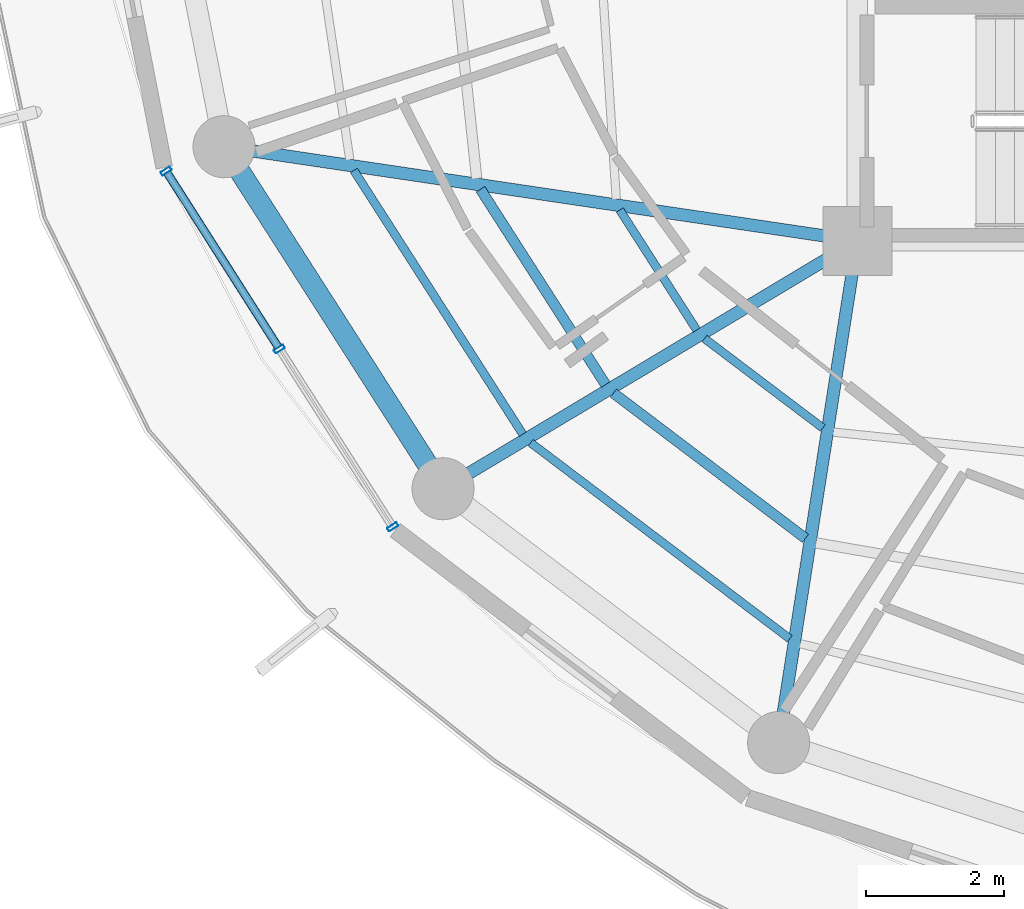
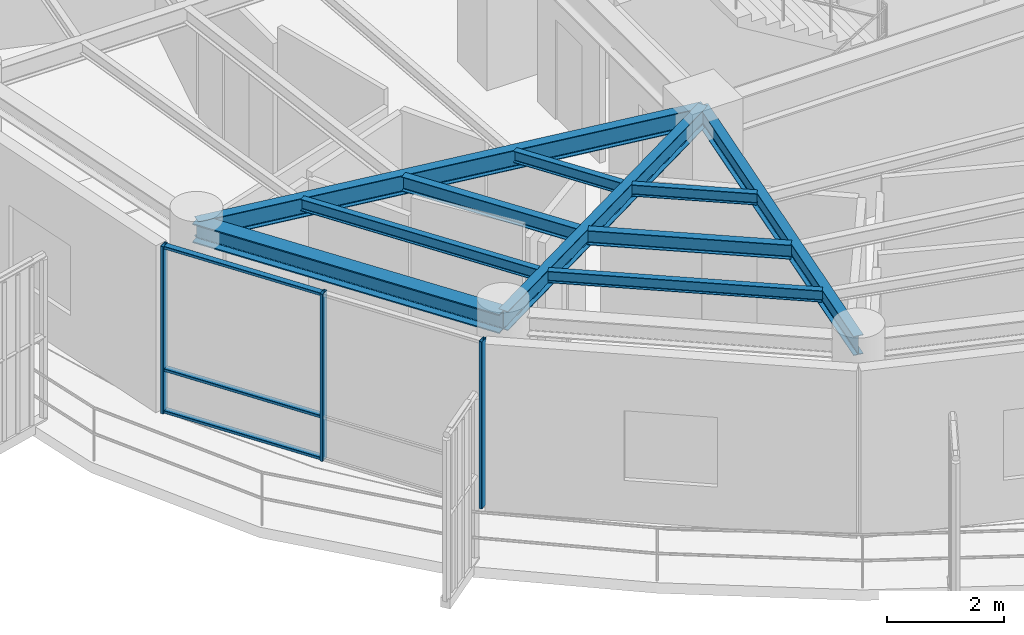
# One storey, part 2 of 22: 10 beams, 6 members, 1 element without a shape of its own.
"""IFC4 building model written with IfcOpenShell, lengths in metres."""

from ifc_helpers import new_model, si_unit, direction, frame, origin, origin_2d, place, context, subcontext, project, spatial, hollow_rectangle, i_section, extrude, material, layer, layer_set, material_profile, profile_set, type_object, element, aggregate, save


model = new_model("IFC4")

# Units and contexts
model_context = context("Model", 3, precision=1e-05, world=origin(), true_north=direction((0.0, 1.0)))
body_context = subcontext(model_context, "Body", "Model", "MODEL_VIEW")
ifc_project = project(units=[si_unit("LENGTHUNIT", "METRE"), si_unit("AREAUNIT", "SQUARE_METRE"), si_unit("VOLUMEUNIT", "CUBIC_METRE"), si_unit("PLANEANGLEUNIT", "RADIAN"), si_unit("MASSUNIT", "GRAM", prefix="KILO")], contexts=[model_context])

# Site, building, storey
site_placement = place(None, origin())
site = spatial("IfcSite", under=ifc_project, at=site_placement, CompositionType="ELEMENT")
building_placement = place(site_placement, origin())
building = spatial("IfcBuilding", under=site, at=building_placement, Name="Kelanora Arch Commons", CompositionType="ELEMENT")
storey_placement = place(building_placement, frame((0.0, 0.0, 271.199951171875)))
storey = spatial("IfcBuildingStorey", under=building, at=storey_placement, Name="L69", CompositionType="ELEMENT", Elevation=271.199951171875)

# Beams
ifc_material_1 = material(Name="Steel S355", Category="steel")
ifc_material_profile_1 = material_profile(ifc_material_1, i_section(OverallWidth=0.14990234375, OverallDepth=0.300048828125, WebThickness=0.007080078125, FlangeThickness=0.0107421875, FilletRadius=0.014892578125, at=origin_2d()), Name="IPE300")
ifc_profile_set_1 = profile_set([ifc_material_profile_1], Name="Steel S355")
beam_type_1 = type_object("IfcBeamType", Name="BM-JST-01", PredefinedType="JOIST", material=ifc_profile_set_1)
beam_1_placement = place(storey_placement, frame((60.539306640625, 51.74658203125, 3.340087890625), z_axis=(0.539321586177, -0.842099891155, 0.0), x_axis=(0.842099891155, 0.539321586177, 0.0)))
element("IfcBeam", 1, at=beam_1_placement, inside=storey, type_object=beam_type_1, Name="Secondary Chord Joist BJB-20 L69", PredefinedType="JOIST", context=body_context, shape_type="SweptSolid", body=[
    extrude(i_section(OverallWidth=0.14990234375, OverallDepth=0.300048828125, WebThickness=0.007080078125, FlangeThickness=0.0107421875, FilletRadius=0.014892578125, at=origin_2d()), origin(), (0.0, 0.0, 1.0), 3.361572265625),
])
beam_2_placement = place(storey_placement, frame((62.4658203125, 48.79296875, 3.340087890625), z_axis=(0.797499198801, -0.603320004568, 0.0), x_axis=(0.603320004568, 0.797499198801, 0.0)))
element("IfcBeam", 2, at=beam_2_placement, inside=storey, type_object=beam_type_1, Name="Secondary Chord Joist BJB-22 L69", PredefinedType="JOIST", context=body_context, shape_type="SweptSolid", body=[
    extrude(i_section(OverallWidth=0.14990234375, OverallDepth=0.300048828125, WebThickness=0.007080078125, FlangeThickness=0.0107421875, FilletRadius=0.014892578125, at=origin_2d()), origin(), (0.0, 0.0, 1.0), 3.489013671875),
])
ifc_material_profile_2 = material_profile(ifc_material_1, i_section(OverallWidth=0.1201171875, OverallDepth=0.239990234375, WebThickness=0.006103515625, FlangeThickness=0.009765625, FilletRadius=0.014892578125, at=origin_2d()), Name="IPE240")
ifc_profile_set_2 = profile_set([ifc_material_profile_2], Name="Steel S355")
beam_type_2 = type_object("IfcBeamType", Name="BM-JST-02", PredefinedType="JOIST", material=ifc_profile_set_2)
beam_3_placement = place(storey_placement, frame((62.558349609375, 51.446533203125, 3.3701171875), z_axis=(0.539311810315, -0.842106152011, 0.0), x_axis=(0.842106152011, 0.539311810315, 0.0)))
element("IfcBeam", 3, at=beam_3_placement, inside=storey, type_object=beam_type_2, Name="Secondary Chord Joist BJA-20 L69", PredefinedType="JOIST", context=body_context, shape_type="SweptSolid", body=[
    extrude(i_section(OverallWidth=0.1201171875, OverallDepth=0.239990234375, WebThickness=0.006103515625, FlangeThickness=0.009765625, FilletRadius=0.014892578125, at=origin_2d()), origin(), (0.0, 0.0, 1.0), 2.06640625),
])
beam_4_placement = place(storey_placement, frame((58.703857421875, 52.019287109375, 3.3701171875), z_axis=(0.539288735289, -0.842120929552, 0.0), x_axis=(0.842120929552, 0.539288735289, 0.0)))
element("IfcBeam", 4, at=beam_4_placement, inside=storey, type_object=beam_type_2, Name="Secondary Chord Joist BJC-20 L69", PredefinedType="JOIST", context=body_context, shape_type="SweptSolid", body=[
    extrude(i_section(OverallWidth=0.1201171875, OverallDepth=0.239990234375, WebThickness=0.006103515625, FlangeThickness=0.009765625, FilletRadius=0.014892578125, at=origin_2d()), origin(), (0.0, 0.0, 1.0), 4.538818359375),
])
beam_5_placement = place(storey_placement, frame((63.78662109375, 49.583251953125, 3.3701171875), z_axis=(0.797509883882, -0.603305880222, 0.0), x_axis=(0.603305880222, 0.797509883882, 0.0)))
element("IfcBeam", 5, at=beam_5_placement, inside=storey, type_object=beam_type_2, Name="Secondary Chord Joist BJA-22 L69", PredefinedType="JOIST", context=body_context, shape_type="SweptSolid", body=[
    extrude(i_section(OverallWidth=0.1201171875, OverallDepth=0.239990234375, WebThickness=0.006103515625, FlangeThickness=0.009765625, FilletRadius=0.014892578125, at=origin_2d()), origin(), (0.0, 0.0, 1.0), 2.147216796875),
])
beam_6_placement = place(storey_placement, frame((61.26513671875, 48.07421875, 3.3701171875), z_axis=(0.79752302984, -0.60328850219, 0.0), x_axis=(0.60328850219, 0.79752302984, 0.0)))
element("IfcBeam", 6, at=beam_6_placement, inside=storey, type_object=beam_type_2, Name="Secondary Chord Joist BJC-22 L69", PredefinedType="JOIST", context=body_context, shape_type="SweptSolid", body=[
    extrude(i_section(OverallWidth=0.1201171875, OverallDepth=0.239990234375, WebThickness=0.006103515625, FlangeThickness=0.009765625, FilletRadius=0.014892578125, at=origin_2d()), origin(), (0.0, 0.0, 1.0), 4.70849609375),
])
ifc_material_profile_3 = material_profile(ifc_material_1, i_section(OverallWidth=0.179931640625, OverallDepth=0.39990234375, WebThickness=0.008544921875, FlangeThickness=0.013427734375, FilletRadius=0.02099609375, at=origin_2d()), Name="IPE400")
ifc_profile_set_3 = profile_set([ifc_material_profile_3], Name="Steel S355")
beam_type_3 = type_object("IfcBeamType", Name="BM-RAD-Z5", PredefinedType="BEAM", material=ifc_profile_set_3)
beam_7_placement = place(storey_placement, frame((66.0, 51.0, 3.2900390625), z_axis=(-0.989142485564, 0.146959665395, 0.0), x_axis=(-0.146959665395, -0.989142485564, 0.0)))
element("IfcBeam", 7, at=beam_7_placement, inside=storey, type_object=beam_type_3, Name="Radial Floor Girder BR-20 L69", PredefinedType="BEAM", context=body_context, shape_type="SweptSolid", body=[
    extrude(i_section(OverallWidth=0.179931640625, OverallDepth=0.39990234375, WebThickness=0.008544921875, FlangeThickness=0.013427734375, FilletRadius=0.02099609375, at=origin_2d()), origin(), (0.0, 0.0, 1.0), 9.2783203125),
])
beam_8_placement = place(storey_placement, frame((66.0, 51.0, 3.2900390625), z_axis=(-0.858062005744, -0.513546097541, 0.0), x_axis=(0.513546097541, -0.858062005744, 0.0)))
element("IfcBeam", 8, at=beam_8_placement, inside=storey, type_object=beam_type_3, Name="Radial Floor Girder BR-22 L69", PredefinedType="BEAM", context=body_context, shape_type="SweptSolid", body=[
    extrude(i_section(OverallWidth=0.179931640625, OverallDepth=0.39990234375, WebThickness=0.008544921875, FlangeThickness=0.013427734375, FilletRadius=0.02099609375, at=origin_2d()), origin(), (0.0, 0.0, 1.0), 6.99658203125),
])
beam_9_placement = place(storey_placement, frame((66.0, 51.0, 3.2900390625), z_axis=(-0.154855424129, -0.987937142544, 0.0), x_axis=(0.987937142544, -0.154855424129, 0.0)))
element("IfcBeam", 9, at=beam_9_placement, inside=storey, type_object=beam_type_3, Name="Radial Floor Girder BR-24 L69", PredefinedType="BEAM", context=body_context, shape_type="SweptSolid", body=[
    extrude(i_section(OverallWidth=0.179931640625, OverallDepth=0.39990234375, WebThickness=0.008544921875, FlangeThickness=0.013427734375, FilletRadius=0.02099609375, at=origin_2d()), origin(), (0.0, 0.0, 1.0), 7.361083984375),
])
ifc_material_profile_4 = material_profile(ifc_material_1, i_section(OverallWidth=0.300048828125, OverallDepth=0.39990234375, WebThickness=0.013427734375, FlangeThickness=0.02392578125, FilletRadius=0.027099609375, at=origin_2d()), Name="HEB400")
ifc_profile_set_4 = profile_set([ifc_material_profile_4], Name="Steel S355")
beam_type_4 = type_object("IfcBeamType", Name="BM-SPN-Z4", PredefinedType="SPANDREL", material=ifc_profile_set_4)
beam_10_placement = place(storey_placement, frame((56.822509765625, 52.363525390625, 3.2900390625), z_axis=(0.539280851353, -0.842125978322, 0.0), x_axis=(0.842125978322, 0.539280851353, 0.0)))
element("IfcBeam", 10, at=beam_10_placement, inside=storey, type_object=beam_type_4, Name="Perimeter Spandrel Beam BS-20 L69", PredefinedType="SPANDREL", context=body_context, shape_type="SweptSolid", body=[
    extrude(i_section(OverallWidth=0.300048828125, OverallDepth=0.39990234375, WebThickness=0.013427734375, FlangeThickness=0.02392578125, FilletRadius=0.027099609375, at=origin_2d()), origin(), (0.0, 0.0, 1.0), 5.8857421875),
])

# Curtain wall, members
ifc_material_2 = material(Name="Terracotta ceramic-fritted low-E glass and aluminium", Category="masonry")
ifc_layer = layer(ifc_material_2, 0.18994140625)
ifc_layer_set = layer_set([ifc_layer], Name="Terracotta ceramic-fritted low-E glass and aluminium")
curtain_wall_type = type_object("IfcCurtainWallType", Name="CW-SYS-03", PredefinedType="NOTDEFINED", material=ifc_layer_set)
curtain_wall_placement = place(storey_placement, origin())
curtain_wall = element("IfcCurtainWall", 11, at=curtain_wall_placement, inside=storey, type_object=curtain_wall_type, Name="Unitised Curtain Wall L69-B10", PredefinedType="NOTDEFINED")
ifc_material_3 = material(Name="Powder-coated aluminium terracotta", Category="masonry")
ifc_material_profile_5 = material_profile(ifc_material_3, hollow_rectangle(XDim=0.159912109375, YDim=0.06005859375, WallThickness=0.0048828125, InnerFilletRadius=0.0048828125, OuterFilletRadius=0.010009765625, at=origin_2d()), Name="CWM160x60")
ifc_profile_set_5 = profile_set([ifc_material_profile_5], Name="Powder-coated aluminium terracotta")
member_type_1 = type_object("IfcMemberType", Name="CWM-STD", PredefinedType="MULLION", material=ifc_profile_set_5)
member_1_placement = place(storey_placement, frame((55.982177734375, 52.0107421875, 0.0), z_axis=(0.0, 0.0, 1.0), x_axis=(0.843391314545, 0.537299814397, 0.0)))
member_1 = element("IfcMember", 12, at=member_1_placement, type_object=member_type_1, Name="CW-03 mullion 1", PredefinedType="MULLION", context=body_context, shape_type="SweptSolid", body=[
    extrude(hollow_rectangle(XDim=0.159912109375, YDim=0.06005859375, WallThickness=0.0048828125, InnerFilletRadius=0.0048828125, OuterFilletRadius=0.010009765625, at=origin_2d()), origin(), (0.0, 0.0, 1.0), 3.47509765625),
])
member_2_placement = place(storey_placement, frame((57.625, 49.43212890625, 0.0), z_axis=(0.0, 0.0, 1.0), x_axis=(0.843391314545, 0.537299814397, 0.0)))
member_2 = element("IfcMember", 13, at=member_2_placement, type_object=member_type_1, Name="CW-03 mullion 2", PredefinedType="MULLION", context=body_context, shape_type="SweptSolid", body=[
    extrude(hollow_rectangle(XDim=0.159912109375, YDim=0.06005859375, WallThickness=0.0048828125, InnerFilletRadius=0.0048828125, OuterFilletRadius=0.010009765625, at=origin_2d()), origin(), (0.0, 0.0, 1.0), 3.47509765625),
])
member_3_placement = place(storey_placement, frame((59.267578125, 46.853515625, 0.0), z_axis=(0.0, 0.0, 1.0), x_axis=(0.843391314545, 0.537299814397, 0.0)))
member_3 = element("IfcMember", 14, at=member_3_placement, type_object=member_type_1, Name="CW-03 mullion 3", PredefinedType="MULLION", context=body_context, shape_type="SweptSolid", body=[
    extrude(hollow_rectangle(XDim=0.159912109375, YDim=0.06005859375, WallThickness=0.0048828125, InnerFilletRadius=0.0048828125, OuterFilletRadius=0.010009765625, at=origin_2d()), origin(), (0.0, 0.0, 1.0), 3.47509765625),
])
ifc_material_profile_6 = material_profile(ifc_material_3, hollow_rectangle(XDim=0.1201171875, YDim=0.06005859375, WallThickness=0.0048828125, InnerFilletRadius=0.0048828125, OuterFilletRadius=0.010009765625, at=origin_2d()), Name="CWT120x60")
ifc_profile_set_6 = profile_set([ifc_material_profile_6], Name="Powder-coated aluminium terracotta")
member_type_2 = type_object("IfcMemberType", Name="CWT-STD", PredefinedType="USERDEFINED", material=ifc_profile_set_6)
member_4_placement = place(storey_placement, frame((55.998291015625, 51.985595703125, 0.030029296875), z_axis=(0.537307571338, -0.843386372775, 0.0), x_axis=(0.843386372775, 0.537307571338, 0.0)))
member_4 = element("IfcMember", 15, at=member_4_placement, type_object=member_type_2, Name="CW-03 transom 1.1", ObjectType="TRANSOM", PredefinedType="USERDEFINED", context=body_context, shape_type="SweptSolid", body=[
    extrude(hollow_rectangle(XDim=0.1201171875, YDim=0.06005859375, WallThickness=0.0048828125, InnerFilletRadius=0.0048828125, OuterFilletRadius=0.010009765625, at=origin_2d()), origin(), (0.0, 0.0, 1.0), 2.99755859375),
])
member_5_placement = place(storey_placement, frame((55.998291015625, 51.985595703125, 0.900146484375), z_axis=(0.537307571338, -0.843386372775, 0.0), x_axis=(0.843386372775, 0.537307571338, 0.0)))
member_5 = element("IfcMember", 16, at=member_5_placement, type_object=member_type_2, Name="CW-03 transom 1.2", ObjectType="TRANSOM", PredefinedType="USERDEFINED", context=body_context, shape_type="SweptSolid", body=[
    extrude(hollow_rectangle(XDim=0.1201171875, YDim=0.06005859375, WallThickness=0.0048828125, InnerFilletRadius=0.0048828125, OuterFilletRadius=0.010009765625, at=origin_2d()), origin(), (0.0, 0.0, 1.0), 2.99755859375),
])
member_6_placement = place(storey_placement, frame((55.998291015625, 51.985595703125, 3.445068359375), z_axis=(0.537307571338, -0.843386372775, 0.0), x_axis=(0.843386372775, 0.537307571338, 0.0)))
member_6 = element("IfcMember", 17, at=member_6_placement, type_object=member_type_2, Name="CW-03 transom 1.3", ObjectType="TRANSOM", PredefinedType="USERDEFINED", context=body_context, shape_type="SweptSolid", body=[
    extrude(hollow_rectangle(XDim=0.1201171875, YDim=0.06005859375, WallThickness=0.0048828125, InnerFilletRadius=0.0048828125, OuterFilletRadius=0.010009765625, at=origin_2d()), origin(), (0.0, 0.0, 1.0), 2.99755859375),
])
aggregate(curtain_wall, [member_1, member_2, member_3, member_4, member_5, member_6])

save(model, "model.ifc")
